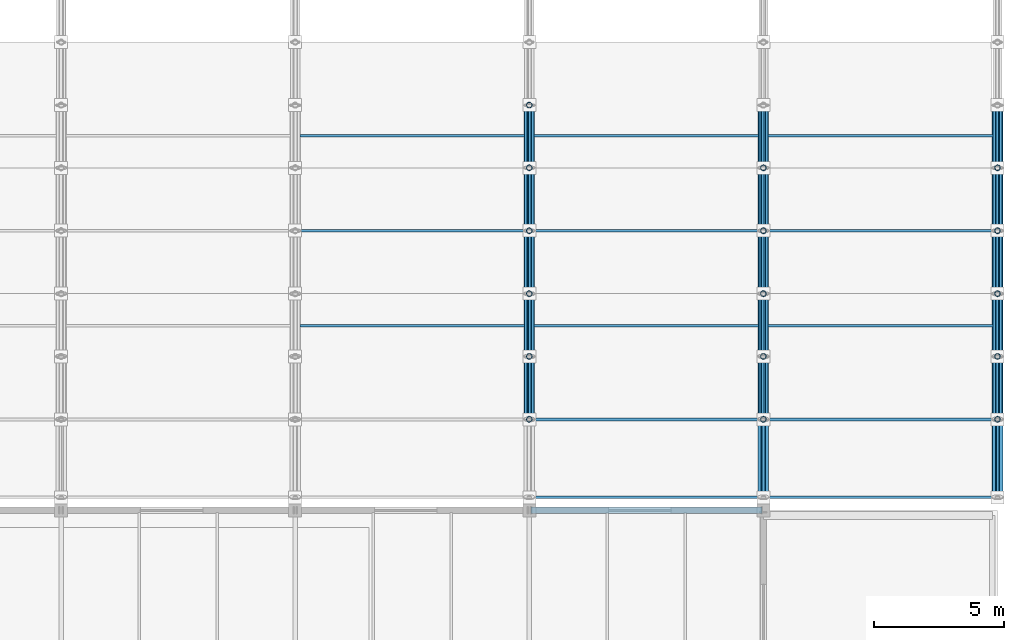
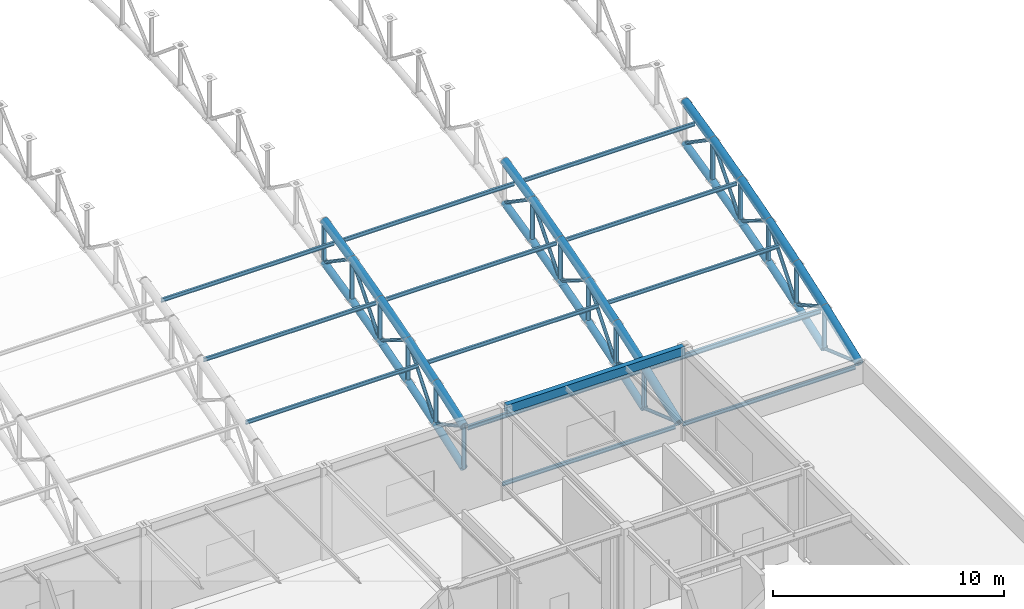
# One storey, part 75 of 195: 78 members, 1 beam.
"""IFC4 building model written with IfcOpenShell, lengths in metres."""

import ifcopenshell
import ifcopenshell.guid

model = None  # the IFC model being written
_history = None  # IfcOwnerHistory: only IFC2X3 demands one
_inside = {}  # id of a spatial element -> (the spatial element, [elements in it])
_under = {}  # id of a project, library or spatial element -> (it, [spatial elements below it])
_declared = {}  # id of a project -> (the project, [libraries it declares])
_typed = {}  # id of a type object -> (the type object, [elements of that type])
_made_of = {}  # id of a material, layer set ... -> (it, [elements and type objects made of it])


def new_model(schema):
    """Start an empty IFC model of exactly this schema.

    Asked for "IFC4X3", IfcOpenShell would pick the latest addendum, in which some entities
    have other attributes; the version numbers below select the first issue.
    IFC2X3 requires an IfcOwnerHistory on every rooted entity: one is made here for all.
    """
    global model, _history
    if schema == "IFC4X3":
        model = ifcopenshell.file(schema_version=(4, 3, 0, 0))
    else:
        model = ifcopenshell.file(schema=schema)
    _inside.clear()
    _under.clear()
    _declared.clear()
    _typed.clear()
    _made_of.clear()
    _history = None
    if model.schema == "IFC2X3":
        org = make("IfcOrganization", Name="unknown")
        user = make(
            "IfcPersonAndOrganization",
            ThePerson=make("IfcPerson", FamilyName="unknown"),
            TheOrganization=org,
        )
        app = make(
            "IfcApplication",
            ApplicationDeveloper=org,
            Version="unknown",
            ApplicationFullName="unknown",
            ApplicationIdentifier="unknown",
        )
        _history = make(
            "IfcOwnerHistory",
            OwningUser=user,
            OwningApplication=app,
            ChangeAction="ADDED",
            CreationDate=0,
        )
    return model


def make(cls, **values):
    """One entity of the class cls with the attributes given. An attribute that is None is left unset."""
    return model.create_entity(
        cls, **{name: value for name, value in values.items() if value is not None}
    )


def rooted(cls, **values):
    """An entity with a GlobalId (a new one), such as an element, a storey or a relation."""
    return make(cls, GlobalId=ifcopenshell.guid.new(), OwnerHistory=_history, **values)


def si_unit(unit_type, name, prefix=None):
    """IfcSIUnit, for example si_unit("LENGTHUNIT", "METRE", prefix="MILLI")."""
    return make("IfcSIUnit", UnitType=unit_type, Prefix=prefix, Name=name)


def assignment(units):
    """IfcUnitAssignment: the units of a project."""
    return None if units is None else make("IfcUnitAssignment", Units=units)


def point(xyz):
    """IfcCartesianPoint."""
    return None if xyz is None else make("IfcCartesianPoint", Coordinates=xyz)


def direction(xyz):
    """IfcDirection."""
    return None if xyz is None else make("IfcDirection", DirectionRatios=xyz)


def frame(location, z_axis=None, x_axis=None):
    """IfcAxis2Placement3D, a coordinate frame: its origin and axes. An axis left out is left unset."""
    return make(
        "IfcAxis2Placement3D",
        Location=point(location),
        Axis=direction(z_axis),
        RefDirection=direction(x_axis),
    )


def frame_2d(location, x_axis=None):
    """IfcAxis2Placement2D, a coordinate frame in the plane: its origin and x axis."""
    return make(
        "IfcAxis2Placement2D", Location=point(location), RefDirection=direction(x_axis)
    )


def origin():
    """The frame at (0, 0, 0) with its axes left unset."""
    return frame((0.0, 0.0, 0.0))


def origin_2d():
    """The frame at (0, 0) in the plane with its x axis left unset."""
    return frame_2d((0.0, 0.0))


def place(relative_to, where):
    """IfcLocalPlacement: puts the frame where relative to a parent placement (None: the world)."""
    return make(
        "IfcLocalPlacement", PlacementRelTo=relative_to, RelativePlacement=where
    )


def context(
    kind, dimensions, precision=None, world=None, true_north=None, identifier=None
):
    """IfcGeometricRepresentationContext, for example the 3D "Model" context."""
    return make(
        "IfcGeometricRepresentationContext",
        ContextIdentifier=identifier,
        ContextType=kind,
        CoordinateSpaceDimension=dimensions,
        Precision=precision,
        WorldCoordinateSystem=world,
        TrueNorth=true_north,
    )


def subcontext(parent, identifier, kind, view, scale=None):
    """IfcGeometricRepresentationSubContext, for example "Body" below "Model"."""
    return make(
        "IfcGeometricRepresentationSubContext",
        ContextIdentifier=identifier,
        ContextType=kind,
        ParentContext=parent,
        TargetScale=scale,
        TargetView=view,
    )


def project(units=None, contexts=None):
    """IfcProject with its units and contexts."""
    return rooted(
        "IfcProject",
        Name="project",
        RepresentationContexts=contexts,
        UnitsInContext=assignment(units),
    )


def spatial(cls, under=None, at=None, **own):
    """A site, building, storey or space (cls), placed at a placement, below another one or the project."""
    s = rooted(cls, ObjectPlacement=at, **own)
    if under is not None:
        _under.setdefault(under.id(), (under, []))[1].append(s)
    return s


def profile(cls, at=None, kind="AREA", **sizes):
    """A parametric profile (cls). Its sizes go by their IFC names, for example OverallWidth=200.0."""
    return make(cls, ProfileType=kind, Position=at, **sizes)


def hollow_rectangle(**sizes):
    """IfcRectangleHollowProfileDef."""
    return profile("IfcRectangleHollowProfileDef", **sizes)


def hollow_circle(**sizes):
    """IfcCircleHollowProfileDef."""
    return profile("IfcCircleHollowProfileDef", **sizes)


def i_section(**sizes):
    """IfcIShapeProfileDef."""
    return profile("IfcIShapeProfileDef", **sizes)


def extrude(swept, where, along, depth):
    """IfcExtrudedAreaSolid: the profile swept, set in the frame where, extruded along a direction by depth."""
    return make(
        "IfcExtrudedAreaSolid",
        SweptArea=swept,
        Position=where,
        ExtrudedDirection=direction(along),
        Depth=depth,
    )


def shape(context_of_items, identifier, shape_type, items):
    """IfcShapeRepresentation: the items that make up one representation, for example the "Body"."""
    return make(
        "IfcShapeRepresentation",
        ContextOfItems=context_of_items,
        RepresentationIdentifier=identifier,
        RepresentationType=shape_type,
        Items=items,
    )


def material(Name=None, Category=None):
    """IfcMaterial."""
    return make("IfcMaterial", Name=Name, Category=Category)


def material_profile(
    of_material, cross_section, Name=None, Category=None, Priority=None
):
    """IfcMaterialProfile: a cross section and its material."""
    return make(
        "IfcMaterialProfile",
        Name=Name,
        Material=of_material,
        Profile=cross_section,
        Priority=Priority,
        Category=Category,
    )


def profile_set(profiles, Name=None, composite=None):
    """IfcMaterialProfileSet."""
    return make(
        "IfcMaterialProfileSet",
        Name=Name,
        MaterialProfiles=profiles,
        CompositeProfile=composite,
    )


def made_of(thing, what):
    """Note that an element or type object is made of a material, layer set ...; save() writes the relation."""
    if what is not None:
        _made_of.setdefault(what.id(), (what, []))[1].append(thing)
    return thing


def type_object(cls, material=None, **own):
    """A type object (cls), such as IfcWallType, which elements share."""
    return made_of(rooted(cls, **own), material)


def element(
    cls,
    number,
    at=None,
    inside=None,
    cuts=None,
    type_object=None,
    material=None,
    context=None,
    identifier="Body",
    shape_type=None,
    held_by="IfcProductDefinitionShape",
    body=None,
    shapes=None,
    **own,
):
    """One element of the class cls, such as IfcWall. Its Tag is "e" and its number.

    at: its placement. inside: the storey or other place that contains it. cuts: it is an
    opening in that element (IfcRelVoidsElement). A single representation is given by context,
    identifier, shape_type and body (its items); several are given by shapes. held_by: the class
    of the entity that holds the representations. save() writes the other relations.
    """
    e = rooted(cls, Tag="e%d" % number, ObjectPlacement=at, **own)
    if body is not None:
        shapes = [shape(context, identifier, shape_type, body)]
    if shapes is not None:
        e.Representation = make(held_by, Representations=shapes)
    if inside is not None:
        _inside.setdefault(inside.id(), (inside, []))[1].append(e)
    if cuts is not None:
        rooted(
            "IfcRelVoidsElement", RelatingBuildingElement=cuts, RelatedOpeningElement=e
        )
    if type_object is not None:
        _typed.setdefault(type_object.id(), (type_object, []))[1].append(e)
    return made_of(e, material)


def aggregate(whole, parts):
    """IfcRelAggregates: a whole, such as a stair, and the parts it consists of."""
    return rooted("IfcRelAggregates", RelatingObject=whole, RelatedObjects=parts)


def save(model, path):
    """Write the relations noted so far, then the file.

    IfcRelAggregates (storeys below a building ...), IfcRelContainedInSpatialStructure (elements
    in a storey), IfcRelDefinesByType, IfcRelAssociatesMaterial and IfcRelDeclares: one each for
    every whole, place, type object, material and project.
    """
    for whole, parts in _under.values():
        aggregate(whole, parts)
    for where, things in _inside.values():
        rooted(
            "IfcRelContainedInSpatialStructure",
            RelatedElements=things,
            RelatingStructure=where,
        )
    for kind, things in _typed.values():
        rooted("IfcRelDefinesByType", RelatedObjects=things, RelatingType=kind)
    for what, things in _made_of.values():
        rooted("IfcRelAssociatesMaterial", RelatedObjects=things, RelatingMaterial=what)
    for by, libraries in _declared.values():
        rooted("IfcRelDeclares", RelatingContext=by, RelatedDefinitions=libraries)
    model.write(path)


model = new_model("IFC4")

# Units and contexts
model_context = context("Model", 3, precision=1e-05, world=origin(), true_north=direction((0.0, 1.0)))
body_context = subcontext(model_context, "Body", "Model", "MODEL_VIEW")
ifc_project = project(units=[si_unit("LENGTHUNIT", "METRE"), si_unit("AREAUNIT", "SQUARE_METRE"), si_unit("VOLUMEUNIT", "CUBIC_METRE"), si_unit("PLANEANGLEUNIT", "RADIAN"), si_unit("MASSUNIT", "GRAM", prefix="KILO")], contexts=[model_context])

# Site, building, storey
site_placement = place(None, origin())
site = spatial("IfcSite", under=ifc_project, at=site_placement, CompositionType="ELEMENT")
building_placement = place(site_placement, origin())
building = spatial("IfcBuilding", under=site, at=building_placement, Name="Marlcrest Central Station", CompositionType="ELEMENT")
storey_placement = place(building_placement, frame((0.0, 0.0, 9.800048828125)))
storey = spatial("IfcBuildingStorey", under=building, at=storey_placement, Name="L02", CompositionType="ELEMENT", Elevation=9.800048828125)

# Members
ifc_material = material(Name="Steel S355", Category="steel")
ifc_material_profile_1 = material_profile(ifc_material, hollow_circle(Radius=0.203125, WallThickness=0.02001953125, at=origin_2d()), Name="CHS 406.4x20")
ifc_profile_set_1 = profile_set([ifc_material_profile_1], Name="Steel S355")
member_type_1 = type_object("IfcMemberType", Name="AC-01", PredefinedType="CHORD", material=ifc_profile_set_1)
member_1_placement = place(storey_placement, frame((198.0, 36.5, 1.599853515625), z_axis=(0.0, 0.94353735649, 0.331266142109), x_axis=(-1.0, 0.0, 0.0)))
element("IfcMember", 1, at=member_1_placement, inside=storey, type_object=member_type_1, Name="mem-AC-01-L02-01788", PredefinedType="CHORD", context=body_context, shape_type="SweptSolid", body=[
    extrude(hollow_circle(Radius=0.203125, WallThickness=0.02001953125, at=origin_2d()), origin(), (0.0, 0.0, 1.0), 2.564697265625),
])
member_2_placement = place(storey_placement, frame((198.0, 38.919921875, 2.449462890625), z_axis=(0.0, 0.952116828449, 0.305734435391), x_axis=(-1.0, 0.0, 0.0)))
element("IfcMember", 2, at=member_2_placement, inside=storey, type_object=member_type_1, Name="mem-AC-01-L02-01792", PredefinedType="CHORD", context=body_context, shape_type="SweptSolid", body=[
    extrude(hollow_circle(Radius=0.203125, WallThickness=0.02001953125, at=origin_2d()), origin(), (0.0, 0.0, 1.0), 2.53125),
])
member_3_placement = place(storey_placement, frame((198.0, 41.330078125, 3.223388671875), z_axis=(0.0, 0.960130083362, 0.27955361386), x_axis=(-1.0, 0.0, 0.0)))
element("IfcMember", 3, at=member_3_placement, inside=storey, type_object=member_type_1, Name="mem-AC-01-L02-01796", PredefinedType="CHORD", context=body_context, shape_type="SweptSolid", body=[
    extrude(hollow_circle(Radius=0.203125, WallThickness=0.02001953125, at=origin_2d()), origin(), (0.0, 0.0, 1.0), 2.5205078125),
])
member_4_placement = place(storey_placement, frame((198.0, 43.75, 3.927978515625), z_axis=(0.0, 0.967539481681, 0.252719906989), x_axis=(-1.0, 0.0, 0.0)))
element("IfcMember", 4, at=member_4_placement, inside=storey, type_object=member_type_1, Name="mem-AC-01-L02-01800", PredefinedType="CHORD", context=body_context, shape_type="SweptSolid", body=[
    extrude(hollow_circle(Radius=0.203125, WallThickness=0.02001953125, at=origin_2d()), origin(), (0.0, 0.0, 1.0), 2.501220703125),
])
member_5_placement = place(storey_placement, frame((198.0, 46.169921875, 4.56005859375), z_axis=(0.0, 0.974329612642, 0.225126200004), x_axis=(-1.0, 0.0, 0.0)))
element("IfcMember", 5, at=member_5_placement, inside=storey, type_object=member_type_1, Name="mem-AC-01-L02-01804", PredefinedType="CHORD", context=body_context, shape_type="SweptSolid", body=[
    extrude(hollow_circle(Radius=0.203125, WallThickness=0.02001953125, at=origin_2d()), origin(), (0.0, 0.0, 1.0), 2.4736328125),
])
member_6_placement = place(storey_placement, frame((207.0, 33.5, 0.44580078125), z_axis=(0.0, 0.933324071143, 0.359035065453), x_axis=(-1.0, 0.0, 0.0)))
element("IfcMember", 6, at=member_6_placement, inside=storey, type_object=member_type_1, Name="mem-AC-01-L02-01902", PredefinedType="CHORD", context=body_context, shape_type="SweptSolid", body=[
    extrude(hollow_circle(Radius=0.203125, WallThickness=0.02001953125, at=origin_2d()), origin(), (0.0, 0.0, 1.0), 3.21435546875),
])
member_7_placement = place(storey_placement, frame((207.0, 36.5, 1.599853515625), z_axis=(0.0, 0.94353735649, 0.331266142109), x_axis=(-1.0, 0.0, 0.0)))
element("IfcMember", 7, at=member_7_placement, inside=storey, type_object=member_type_1, Name="mem-AC-01-L02-01904", PredefinedType="CHORD", context=body_context, shape_type="SweptSolid", body=[
    extrude(hollow_circle(Radius=0.203125, WallThickness=0.02001953125, at=origin_2d()), origin(), (0.0, 0.0, 1.0), 2.564697265625),
])
member_8_placement = place(storey_placement, frame((207.0, 38.919921875, 2.449462890625), z_axis=(0.0, 0.952116828449, 0.305734435391), x_axis=(-1.0, 0.0, 0.0)))
element("IfcMember", 8, at=member_8_placement, inside=storey, type_object=member_type_1, Name="mem-AC-01-L02-01908", PredefinedType="CHORD", context=body_context, shape_type="SweptSolid", body=[
    extrude(hollow_circle(Radius=0.203125, WallThickness=0.02001953125, at=origin_2d()), origin(), (0.0, 0.0, 1.0), 2.53125),
])
member_9_placement = place(storey_placement, frame((207.0, 41.330078125, 3.223388671875), z_axis=(0.0, 0.960130083362, 0.27955361386), x_axis=(-1.0, 0.0, 0.0)))
element("IfcMember", 9, at=member_9_placement, inside=storey, type_object=member_type_1, Name="mem-AC-01-L02-01912", PredefinedType="CHORD", context=body_context, shape_type="SweptSolid", body=[
    extrude(hollow_circle(Radius=0.203125, WallThickness=0.02001953125, at=origin_2d()), origin(), (0.0, 0.0, 1.0), 2.5205078125),
])
member_10_placement = place(storey_placement, frame((207.0, 43.75, 3.927978515625), z_axis=(0.0, 0.967539481681, 0.252719906989), x_axis=(-1.0, 0.0, 0.0)))
element("IfcMember", 10, at=member_10_placement, inside=storey, type_object=member_type_1, Name="mem-AC-01-L02-01916", PredefinedType="CHORD", context=body_context, shape_type="SweptSolid", body=[
    extrude(hollow_circle(Radius=0.203125, WallThickness=0.02001953125, at=origin_2d()), origin(), (0.0, 0.0, 1.0), 2.501220703125),
])
member_11_placement = place(storey_placement, frame((207.0, 46.169921875, 4.56005859375), z_axis=(0.0, 0.974329612642, 0.225126200004), x_axis=(-1.0, 0.0, 0.0)))
element("IfcMember", 11, at=member_11_placement, inside=storey, type_object=member_type_1, Name="mem-AC-01-L02-01920", PredefinedType="CHORD", context=body_context, shape_type="SweptSolid", body=[
    extrude(hollow_circle(Radius=0.203125, WallThickness=0.02001953125, at=origin_2d()), origin(), (0.0, 0.0, 1.0), 2.4736328125),
])
member_12_placement = place(storey_placement, frame((216.0, 33.5, 0.44580078125), z_axis=(0.0, 0.933324071143, 0.359035065453), x_axis=(-1.0, 0.0, 0.0)))
element("IfcMember", 12, at=member_12_placement, inside=storey, type_object=member_type_1, Name="mem-AC-01-L02-02018", PredefinedType="CHORD", context=body_context, shape_type="SweptSolid", body=[
    extrude(hollow_circle(Radius=0.203125, WallThickness=0.02001953125, at=origin_2d()), origin(), (0.0, 0.0, 1.0), 3.21435546875),
])
member_13_placement = place(storey_placement, frame((216.0, 36.5, 1.599853515625), z_axis=(0.0, 0.94353735649, 0.331266142109), x_axis=(-1.0, 0.0, 0.0)))
element("IfcMember", 13, at=member_13_placement, inside=storey, type_object=member_type_1, Name="mem-AC-01-L02-02020", PredefinedType="CHORD", context=body_context, shape_type="SweptSolid", body=[
    extrude(hollow_circle(Radius=0.203125, WallThickness=0.02001953125, at=origin_2d()), origin(), (0.0, 0.0, 1.0), 2.564697265625),
])
member_14_placement = place(storey_placement, frame((216.0, 38.919921875, 2.449462890625), z_axis=(0.0, 0.952116828449, 0.305734435391), x_axis=(-1.0, 0.0, 0.0)))
element("IfcMember", 14, at=member_14_placement, inside=storey, type_object=member_type_1, Name="mem-AC-01-L02-02024", PredefinedType="CHORD", context=body_context, shape_type="SweptSolid", body=[
    extrude(hollow_circle(Radius=0.203125, WallThickness=0.02001953125, at=origin_2d()), origin(), (0.0, 0.0, 1.0), 2.53125),
])
member_15_placement = place(storey_placement, frame((216.0, 41.330078125, 3.223388671875), z_axis=(0.0, 0.960130083362, 0.27955361386), x_axis=(-1.0, 0.0, 0.0)))
element("IfcMember", 15, at=member_15_placement, inside=storey, type_object=member_type_1, Name="mem-AC-01-L02-02028", PredefinedType="CHORD", context=body_context, shape_type="SweptSolid", body=[
    extrude(hollow_circle(Radius=0.203125, WallThickness=0.02001953125, at=origin_2d()), origin(), (0.0, 0.0, 1.0), 2.5205078125),
])
member_16_placement = place(storey_placement, frame((216.0, 43.75, 3.927978515625), z_axis=(0.0, 0.967539481681, 0.252719906989), x_axis=(-1.0, 0.0, 0.0)))
element("IfcMember", 16, at=member_16_placement, inside=storey, type_object=member_type_1, Name="mem-AC-01-L02-02032", PredefinedType="CHORD", context=body_context, shape_type="SweptSolid", body=[
    extrude(hollow_circle(Radius=0.203125, WallThickness=0.02001953125, at=origin_2d()), origin(), (0.0, 0.0, 1.0), 2.501220703125),
])
member_17_placement = place(storey_placement, frame((216.0, 46.169921875, 4.56005859375), z_axis=(0.0, 0.974329612642, 0.225126200004), x_axis=(-1.0, 0.0, 0.0)))
element("IfcMember", 17, at=member_17_placement, inside=storey, type_object=member_type_1, Name="mem-AC-01-L02-02036", PredefinedType="CHORD", context=body_context, shape_type="SweptSolid", body=[
    extrude(hollow_circle(Radius=0.203125, WallThickness=0.02001953125, at=origin_2d()), origin(), (0.0, 0.0, 1.0), 2.4736328125),
])
ifc_material_profile_2 = material_profile(ifc_material, hollow_circle(Radius=0.177734375, WallThickness=0.01611328125, at=origin_2d()), Name="CHS 355.6x16")
ifc_profile_set_2 = profile_set([ifc_material_profile_2], Name="Steel S355")
member_type_2 = type_object("IfcMemberType", Name="AC-02", PredefinedType="CHORD", material=ifc_profile_set_2)
member_18_placement = place(storey_placement, frame((198.0, 36.5, -0.60009765625), z_axis=(0.0, 0.94353735649, 0.331266142109), x_axis=(-1.0, 0.0, 0.0)))
element("IfcMember", 18, at=member_18_placement, inside=storey, type_object=member_type_2, Name="mem-AC-02-L02-01789", PredefinedType="CHORD", context=body_context, shape_type="SweptSolid", body=[
    extrude(hollow_circle(Radius=0.177734375, WallThickness=0.01611328125, at=origin_2d()), origin(), (0.0, 0.0, 1.0), 2.564697265625),
])
member_19_placement = place(storey_placement, frame((198.0, 38.919921875, 0.24951171875), z_axis=(0.0, 0.952116828449, 0.305734435391), x_axis=(-1.0, 0.0, 0.0)))
element("IfcMember", 19, at=member_19_placement, inside=storey, type_object=member_type_2, Name="mem-AC-02-L02-01793", PredefinedType="CHORD", context=body_context, shape_type="SweptSolid", body=[
    extrude(hollow_circle(Radius=0.177734375, WallThickness=0.01611328125, at=origin_2d()), origin(), (0.0, 0.0, 1.0), 2.53125),
])
member_20_placement = place(storey_placement, frame((198.0, 41.330078125, 1.0234375), z_axis=(0.0, 0.960130083362, 0.27955361386), x_axis=(-1.0, 0.0, 0.0)))
element("IfcMember", 20, at=member_20_placement, inside=storey, type_object=member_type_2, Name="mem-AC-02-L02-01797", PredefinedType="CHORD", context=body_context, shape_type="SweptSolid", body=[
    extrude(hollow_circle(Radius=0.177734375, WallThickness=0.01611328125, at=origin_2d()), origin(), (0.0, 0.0, 1.0), 2.5205078125),
])
member_21_placement = place(storey_placement, frame((198.0, 43.75, 1.72802734375), z_axis=(0.0, 0.967563345928, 0.252628524946), x_axis=(-1.0, 0.0, 0.0)))
element("IfcMember", 21, at=member_21_placement, inside=storey, type_object=member_type_2, Name="mem-AC-02-L02-01801", PredefinedType="CHORD", context=body_context, shape_type="SweptSolid", body=[
    extrude(hollow_circle(Radius=0.177734375, WallThickness=0.01611328125, at=origin_2d()), origin(), (0.0, 0.0, 1.0), 2.5009765625),
])
member_22_placement = place(storey_placement, frame((198.0, 46.169921875, 2.35986328125), z_axis=(0.0, 0.974307959875, 0.225219891049), x_axis=(-1.0, 0.0, 0.0)))
element("IfcMember", 22, at=member_22_placement, inside=storey, type_object=member_type_2, Name="mem-AC-02-L02-01805", PredefinedType="CHORD", context=body_context, shape_type="SweptSolid", body=[
    extrude(hollow_circle(Radius=0.177734375, WallThickness=0.01611328125, at=origin_2d()), origin(), (0.0, 0.0, 1.0), 2.4736328125),
])
member_23_placement = place(storey_placement, frame((207.0, 36.5, -0.60009765625), z_axis=(0.0, 0.94353735649, 0.331266142109), x_axis=(-1.0, 0.0, 0.0)))
element("IfcMember", 23, at=member_23_placement, inside=storey, type_object=member_type_2, Name="mem-AC-02-L02-01905", PredefinedType="CHORD", context=body_context, shape_type="SweptSolid", body=[
    extrude(hollow_circle(Radius=0.177734375, WallThickness=0.01611328125, at=origin_2d()), origin(), (0.0, 0.0, 1.0), 2.564697265625),
])
member_24_placement = place(storey_placement, frame((207.0, 38.919921875, 0.24951171875), z_axis=(0.0, 0.952116828449, 0.305734435391), x_axis=(-1.0, 0.0, 0.0)))
element("IfcMember", 24, at=member_24_placement, inside=storey, type_object=member_type_2, Name="mem-AC-02-L02-01909", PredefinedType="CHORD", context=body_context, shape_type="SweptSolid", body=[
    extrude(hollow_circle(Radius=0.177734375, WallThickness=0.01611328125, at=origin_2d()), origin(), (0.0, 0.0, 1.0), 2.53125),
])
member_25_placement = place(storey_placement, frame((207.0, 41.330078125, 1.0234375), z_axis=(0.0, 0.960130083362, 0.27955361386), x_axis=(-1.0, 0.0, 0.0)))
element("IfcMember", 25, at=member_25_placement, inside=storey, type_object=member_type_2, Name="mem-AC-02-L02-01913", PredefinedType="CHORD", context=body_context, shape_type="SweptSolid", body=[
    extrude(hollow_circle(Radius=0.177734375, WallThickness=0.01611328125, at=origin_2d()), origin(), (0.0, 0.0, 1.0), 2.5205078125),
])
member_26_placement = place(storey_placement, frame((207.0, 43.75, 1.72802734375), z_axis=(0.0, 0.967563345928, 0.252628524946), x_axis=(-1.0, 0.0, 0.0)))
element("IfcMember", 26, at=member_26_placement, inside=storey, type_object=member_type_2, Name="mem-AC-02-L02-01917", PredefinedType="CHORD", context=body_context, shape_type="SweptSolid", body=[
    extrude(hollow_circle(Radius=0.177734375, WallThickness=0.01611328125, at=origin_2d()), origin(), (0.0, 0.0, 1.0), 2.5009765625),
])
member_27_placement = place(storey_placement, frame((207.0, 46.169921875, 2.35986328125), z_axis=(0.0, 0.974307959875, 0.225219891049), x_axis=(-1.0, 0.0, 0.0)))
element("IfcMember", 27, at=member_27_placement, inside=storey, type_object=member_type_2, Name="mem-AC-02-L02-01921", PredefinedType="CHORD", context=body_context, shape_type="SweptSolid", body=[
    extrude(hollow_circle(Radius=0.177734375, WallThickness=0.01611328125, at=origin_2d()), origin(), (0.0, 0.0, 1.0), 2.4736328125),
])
member_28_placement = place(storey_placement, frame((216.0, 36.5, -0.60009765625), z_axis=(0.0, 0.94353735649, 0.331266142109), x_axis=(-1.0, 0.0, 0.0)))
element("IfcMember", 28, at=member_28_placement, inside=storey, type_object=member_type_2, Name="mem-AC-02-L02-02021", PredefinedType="CHORD", context=body_context, shape_type="SweptSolid", body=[
    extrude(hollow_circle(Radius=0.177734375, WallThickness=0.01611328125, at=origin_2d()), origin(), (0.0, 0.0, 1.0), 2.564697265625),
])
member_29_placement = place(storey_placement, frame((216.0, 38.919921875, 0.24951171875), z_axis=(0.0, 0.952116828449, 0.305734435391), x_axis=(-1.0, 0.0, 0.0)))
element("IfcMember", 29, at=member_29_placement, inside=storey, type_object=member_type_2, Name="mem-AC-02-L02-02025", PredefinedType="CHORD", context=body_context, shape_type="SweptSolid", body=[
    extrude(hollow_circle(Radius=0.177734375, WallThickness=0.01611328125, at=origin_2d()), origin(), (0.0, 0.0, 1.0), 2.53125),
])
member_30_placement = place(storey_placement, frame((216.0, 41.330078125, 1.0234375), z_axis=(0.0, 0.960130083362, 0.27955361386), x_axis=(-1.0, 0.0, 0.0)))
element("IfcMember", 30, at=member_30_placement, inside=storey, type_object=member_type_2, Name="mem-AC-02-L02-02029", PredefinedType="CHORD", context=body_context, shape_type="SweptSolid", body=[
    extrude(hollow_circle(Radius=0.177734375, WallThickness=0.01611328125, at=origin_2d()), origin(), (0.0, 0.0, 1.0), 2.5205078125),
])
member_31_placement = place(storey_placement, frame((216.0, 43.75, 1.72802734375), z_axis=(0.0, 0.967563345928, 0.252628524946), x_axis=(-1.0, 0.0, 0.0)))
element("IfcMember", 31, at=member_31_placement, inside=storey, type_object=member_type_2, Name="mem-AC-02-L02-02033", PredefinedType="CHORD", context=body_context, shape_type="SweptSolid", body=[
    extrude(hollow_circle(Radius=0.177734375, WallThickness=0.01611328125, at=origin_2d()), origin(), (0.0, 0.0, 1.0), 2.5009765625),
])
member_32_placement = place(storey_placement, frame((216.0, 46.169921875, 2.35986328125), z_axis=(0.0, 0.974307959875, 0.225219891049), x_axis=(-1.0, 0.0, 0.0)))
element("IfcMember", 32, at=member_32_placement, inside=storey, type_object=member_type_2, Name="mem-AC-02-L02-02037", PredefinedType="CHORD", context=body_context, shape_type="SweptSolid", body=[
    extrude(hollow_circle(Radius=0.177734375, WallThickness=0.01611328125, at=origin_2d()), origin(), (0.0, 0.0, 1.0), 2.4736328125),
])
ifc_material_profile_3 = material_profile(ifc_material, hollow_circle(Radius=0.084228515625, WallThickness=0.010009765625, at=origin_2d()), Name="CHS 168.3x10")
ifc_profile_set_3 = profile_set([ifc_material_profile_3], Name="Steel S355")
member_type_3 = type_object("IfcMemberType", Name="AD-01", PredefinedType="BRACE", material=ifc_profile_set_3)
member_33_placement = place(storey_placement, frame((198.0, 36.5, 1.599853515625), z_axis=(0.0, 0.873245653167, -0.487280236851), x_axis=(-1.0, 0.0, 0.0)))
element("IfcMember", 33, at=member_33_placement, inside=storey, type_object=member_type_3, Name="mem-AD-01-L02-01791", PredefinedType="BRACE", context=body_context, shape_type="SweptSolid", body=[
    extrude(hollow_circle(Radius=0.084228515625, WallThickness=0.010009765625, at=origin_2d()), origin(), (0.0, 0.0, 1.0), 2.771240234375),
])
member_34_placement = place(storey_placement, frame((198.0, 38.919921875, 0.24951171875), z_axis=(0.0, 0.62962929743, 0.776895712318), x_axis=(-1.0, 0.0, 0.0)))
element("IfcMember", 34, at=member_34_placement, inside=storey, type_object=member_type_3, Name="mem-AD-01-L02-01795", PredefinedType="BRACE", context=body_context, shape_type="SweptSolid", body=[
    extrude(hollow_circle(Radius=0.084228515625, WallThickness=0.010009765625, at=origin_2d()), origin(), (0.0, 0.0, 1.0), 3.827880859375),
])
member_35_placement = place(storey_placement, frame((198.0, 41.330078125, 3.223388671875), z_axis=(0.0, 0.850687380038, -0.525671933286), x_axis=(-1.0, 0.0, 0.0)))
element("IfcMember", 35, at=member_35_placement, inside=storey, type_object=member_type_3, Name="mem-AD-01-L02-01799", PredefinedType="BRACE", context=body_context, shape_type="SweptSolid", body=[
    extrude(hollow_circle(Radius=0.084228515625, WallThickness=0.010009765625, at=origin_2d()), origin(), (0.0, 0.0, 1.0), 2.8447265625),
])
member_36_placement = place(storey_placement, frame((198.0, 43.75, 1.72802734375), z_axis=(0.0, 0.649624779144, 0.760254987699), x_axis=(-1.0, 0.0, 0.0)))
element("IfcMember", 36, at=member_36_placement, inside=storey, type_object=member_type_3, Name="mem-AD-01-L02-01803", PredefinedType="BRACE", context=body_context, shape_type="SweptSolid", body=[
    extrude(hollow_circle(Radius=0.084228515625, WallThickness=0.010009765625, at=origin_2d()), origin(), (0.0, 0.0, 1.0), 3.72509765625),
])
member_37_placement = place(storey_placement, frame((198.0, 46.169921875, 4.56005859375), z_axis=(0.0, 0.82626275624, -0.563284881432), x_axis=(-1.0, 0.0, 0.0)))
element("IfcMember", 37, at=member_37_placement, inside=storey, type_object=member_type_3, Name="mem-AD-01-L02-01807", PredefinedType="BRACE", context=body_context, shape_type="SweptSolid", body=[
    extrude(hollow_circle(Radius=0.084228515625, WallThickness=0.010009765625, at=origin_2d()), origin(), (0.0, 0.0, 1.0), 2.9169921875),
])
member_38_placement = place(storey_placement, frame((207.0, 36.5, -0.60009765625), z_axis=(0.0, -0.944260188635, 0.329200085296), x_axis=(1.0, 0.0, 0.0)))
element("IfcMember", 38, at=member_38_placement, inside=storey, type_object=member_type_3, Name="mem-AD-01-L02-01903", PredefinedType="BRACE", context=body_context, shape_type="SweptSolid", body=[
    extrude(hollow_circle(Radius=0.084228515625, WallThickness=0.010009765625, at=origin_2d()), origin(), (0.0, 0.0, 1.0), 3.177001953125),
])
member_39_placement = place(storey_placement, frame((207.0, 36.5, 1.599853515625), z_axis=(0.0, 0.873245653167, -0.487280236851), x_axis=(-1.0, 0.0, 0.0)))
element("IfcMember", 39, at=member_39_placement, inside=storey, type_object=member_type_3, Name="mem-AD-01-L02-01907", PredefinedType="BRACE", context=body_context, shape_type="SweptSolid", body=[
    extrude(hollow_circle(Radius=0.084228515625, WallThickness=0.010009765625, at=origin_2d()), origin(), (0.0, 0.0, 1.0), 2.771240234375),
])
member_40_placement = place(storey_placement, frame((207.0, 38.919921875, 0.24951171875), z_axis=(0.0, 0.62962929743, 0.776895712318), x_axis=(-1.0, 0.0, 0.0)))
element("IfcMember", 40, at=member_40_placement, inside=storey, type_object=member_type_3, Name="mem-AD-01-L02-01911", PredefinedType="BRACE", context=body_context, shape_type="SweptSolid", body=[
    extrude(hollow_circle(Radius=0.084228515625, WallThickness=0.010009765625, at=origin_2d()), origin(), (0.0, 0.0, 1.0), 3.827880859375),
])
member_41_placement = place(storey_placement, frame((207.0, 41.330078125, 3.223388671875), z_axis=(0.0, 0.850687380038, -0.525671933286), x_axis=(-1.0, 0.0, 0.0)))
element("IfcMember", 41, at=member_41_placement, inside=storey, type_object=member_type_3, Name="mem-AD-01-L02-01915", PredefinedType="BRACE", context=body_context, shape_type="SweptSolid", body=[
    extrude(hollow_circle(Radius=0.084228515625, WallThickness=0.010009765625, at=origin_2d()), origin(), (0.0, 0.0, 1.0), 2.8447265625),
])
member_42_placement = place(storey_placement, frame((207.0, 43.75, 1.72802734375), z_axis=(0.0, 0.649624779144, 0.760254987699), x_axis=(-1.0, 0.0, 0.0)))
element("IfcMember", 42, at=member_42_placement, inside=storey, type_object=member_type_3, Name="mem-AD-01-L02-01919", PredefinedType="BRACE", context=body_context, shape_type="SweptSolid", body=[
    extrude(hollow_circle(Radius=0.084228515625, WallThickness=0.010009765625, at=origin_2d()), origin(), (0.0, 0.0, 1.0), 3.72509765625),
])
member_43_placement = place(storey_placement, frame((207.0, 46.169921875, 4.56005859375), z_axis=(0.0, 0.82626275624, -0.563284881432), x_axis=(-1.0, 0.0, 0.0)))
element("IfcMember", 43, at=member_43_placement, inside=storey, type_object=member_type_3, Name="mem-AD-01-L02-01923", PredefinedType="BRACE", context=body_context, shape_type="SweptSolid", body=[
    extrude(hollow_circle(Radius=0.084228515625, WallThickness=0.010009765625, at=origin_2d()), origin(), (0.0, 0.0, 1.0), 2.9169921875),
])
member_44_placement = place(storey_placement, frame((216.0, 36.5, -0.60009765625), z_axis=(0.0, -0.944260188635, 0.329200085296), x_axis=(1.0, 0.0, 0.0)))
element("IfcMember", 44, at=member_44_placement, inside=storey, type_object=member_type_3, Name="mem-AD-01-L02-02019", PredefinedType="BRACE", context=body_context, shape_type="SweptSolid", body=[
    extrude(hollow_circle(Radius=0.084228515625, WallThickness=0.010009765625, at=origin_2d()), origin(), (0.0, 0.0, 1.0), 3.177001953125),
])
member_45_placement = place(storey_placement, frame((216.0, 36.5, 1.599853515625), z_axis=(0.0, 0.873245653167, -0.487280236851), x_axis=(-1.0, 0.0, 0.0)))
element("IfcMember", 45, at=member_45_placement, inside=storey, type_object=member_type_3, Name="mem-AD-01-L02-02023", PredefinedType="BRACE", context=body_context, shape_type="SweptSolid", body=[
    extrude(hollow_circle(Radius=0.084228515625, WallThickness=0.010009765625, at=origin_2d()), origin(), (0.0, 0.0, 1.0), 2.771240234375),
])
member_46_placement = place(storey_placement, frame((216.0, 38.919921875, 0.24951171875), z_axis=(0.0, 0.62962929743, 0.776895712318), x_axis=(-1.0, 0.0, 0.0)))
element("IfcMember", 46, at=member_46_placement, inside=storey, type_object=member_type_3, Name="mem-AD-01-L02-02027", PredefinedType="BRACE", context=body_context, shape_type="SweptSolid", body=[
    extrude(hollow_circle(Radius=0.084228515625, WallThickness=0.010009765625, at=origin_2d()), origin(), (0.0, 0.0, 1.0), 3.827880859375),
])
member_47_placement = place(storey_placement, frame((216.0, 41.330078125, 3.223388671875), z_axis=(0.0, 0.850687380038, -0.525671933286), x_axis=(-1.0, 0.0, 0.0)))
element("IfcMember", 47, at=member_47_placement, inside=storey, type_object=member_type_3, Name="mem-AD-01-L02-02031", PredefinedType="BRACE", context=body_context, shape_type="SweptSolid", body=[
    extrude(hollow_circle(Radius=0.084228515625, WallThickness=0.010009765625, at=origin_2d()), origin(), (0.0, 0.0, 1.0), 2.8447265625),
])
member_48_placement = place(storey_placement, frame((216.0, 43.75, 1.72802734375), z_axis=(0.0, 0.649624779144, 0.760254987699), x_axis=(-1.0, 0.0, 0.0)))
element("IfcMember", 48, at=member_48_placement, inside=storey, type_object=member_type_3, Name="mem-AD-01-L02-02035", PredefinedType="BRACE", context=body_context, shape_type="SweptSolid", body=[
    extrude(hollow_circle(Radius=0.084228515625, WallThickness=0.010009765625, at=origin_2d()), origin(), (0.0, 0.0, 1.0), 3.72509765625),
])
member_49_placement = place(storey_placement, frame((216.0, 46.169921875, 4.56005859375), z_axis=(0.0, 0.82626275624, -0.563284881432), x_axis=(-1.0, 0.0, 0.0)))
element("IfcMember", 49, at=member_49_placement, inside=storey, type_object=member_type_3, Name="mem-AD-01-L02-02039", PredefinedType="BRACE", context=body_context, shape_type="SweptSolid", body=[
    extrude(hollow_circle(Radius=0.084228515625, WallThickness=0.010009765625, at=origin_2d()), origin(), (0.0, 0.0, 1.0), 2.9169921875),
])
ifc_material_profile_4 = material_profile(ifc_material, hollow_circle(Radius=0.109619140625, WallThickness=0.012451171875, at=origin_2d()), Name="CHS 219.1x12.5")
ifc_profile_set_4 = profile_set([ifc_material_profile_4], Name="Steel S355")
member_type_4 = type_object("IfcMemberType", Name="AP-01", PredefinedType="POST", material=ifc_profile_set_4)
for number, where, z_axis, x_axis, name in (
    (50, (198.0, 36.5, -0.60009765625), (0.0, 0.0, 1.0), (1.0, 0.0, 0.0), "mem-AP-01-L02-01790"),
    (51, (198.0, 38.919921875, 0.24951171875), (0.0, 0.0, 1.0), (1.0, 0.0, 0.0), "mem-AP-01-L02-01794"),
    (52, (198.0, 41.330078125, 1.0234375), (0.0, 0.0, 1.0), (1.0, 0.0, 0.0), "mem-AP-01-L02-01798"),
    (53, (198.0, 43.75, 1.72802734375), (0.0, 0.0, 1.0), (1.0, 0.0, 0.0), "mem-AP-01-L02-01802"),
):
    element("IfcMember", number, at=place(storey_placement, frame(where, z_axis=z_axis, x_axis=x_axis)), inside=storey, type_object=member_type_4, Name=name, PredefinedType="POST", context=body_context, shape_type="SweptSolid", body=[
        extrude(hollow_circle(Radius=0.109619140625, WallThickness=0.012451171875, at=origin_2d()), origin(), (0.0, 0.0, 1.0), 2.199951171875),
    ])
member_50_placement = place(storey_placement, frame((198.0, 46.169921875, 2.35986328125), z_axis=(0.0, 0.0, 1.0), x_axis=(1.0, 0.0, 0.0)))
element("IfcMember", 54, at=member_50_placement, inside=storey, type_object=member_type_4, Name="mem-AP-01-L02-01806", PredefinedType="POST", context=body_context, shape_type="SweptSolid", body=[
    extrude(hollow_circle(Radius=0.109619140625, WallThickness=0.012451171875, at=origin_2d()), origin(), (0.0, 0.0, 1.0), 2.2001953125),
])
for number, where, z_axis, x_axis, name in (
    (55, (198.0, 48.580078125, 2.9169921875), (0.0, 0.0, 1.0), (1.0, 0.0, 0.0), "mem-AP-01-L02-01810"),
    (56, (207.0, 36.5, -0.60009765625), (0.0, 0.0, 1.0), (1.0, 0.0, 0.0), "mem-AP-01-L02-01906"),
    (57, (207.0, 38.919921875, 0.24951171875), (0.0, 0.0, 1.0), (1.0, 0.0, 0.0), "mem-AP-01-L02-01910"),
    (58, (207.0, 41.330078125, 1.0234375), (0.0, 0.0, 1.0), (1.0, 0.0, 0.0), "mem-AP-01-L02-01914"),
    (59, (207.0, 43.75, 1.72802734375), (0.0, 0.0, 1.0), (1.0, 0.0, 0.0), "mem-AP-01-L02-01918"),
):
    element("IfcMember", number, at=place(storey_placement, frame(where, z_axis=z_axis, x_axis=x_axis)), inside=storey, type_object=member_type_4, Name=name, PredefinedType="POST", context=body_context, shape_type="SweptSolid", body=[
        extrude(hollow_circle(Radius=0.109619140625, WallThickness=0.012451171875, at=origin_2d()), origin(), (0.0, 0.0, 1.0), 2.199951171875),
    ])
member_51_placement = place(storey_placement, frame((207.0, 46.169921875, 2.35986328125), z_axis=(0.0, 0.0, 1.0), x_axis=(1.0, 0.0, 0.0)))
element("IfcMember", 60, at=member_51_placement, inside=storey, type_object=member_type_4, Name="mem-AP-01-L02-01922", PredefinedType="POST", context=body_context, shape_type="SweptSolid", body=[
    extrude(hollow_circle(Radius=0.109619140625, WallThickness=0.012451171875, at=origin_2d()), origin(), (0.0, 0.0, 1.0), 2.2001953125),
])
for number, where, z_axis, x_axis, name in (
    (61, (216.0, 36.5, -0.60009765625), (0.0, 0.0, 1.0), (1.0, 0.0, 0.0), "mem-AP-01-L02-02022"),
    (62, (216.0, 38.919921875, 0.24951171875), (0.0, 0.0, 1.0), (1.0, 0.0, 0.0), "mem-AP-01-L02-02026"),
    (63, (216.0, 41.330078125, 1.0234375), (0.0, 0.0, 1.0), (1.0, 0.0, 0.0), "mem-AP-01-L02-02030"),
    (64, (216.0, 43.75, 1.72802734375), (0.0, 0.0, 1.0), (1.0, 0.0, 0.0), "mem-AP-01-L02-02034"),
):
    element("IfcMember", number, at=place(storey_placement, frame(where, z_axis=z_axis, x_axis=x_axis)), inside=storey, type_object=member_type_4, Name=name, PredefinedType="POST", context=body_context, shape_type="SweptSolid", body=[
        extrude(hollow_circle(Radius=0.109619140625, WallThickness=0.012451171875, at=origin_2d()), origin(), (0.0, 0.0, 1.0), 2.199951171875),
    ])
member_52_placement = place(storey_placement, frame((216.0, 46.169921875, 2.35986328125), z_axis=(0.0, 0.0, 1.0), x_axis=(1.0, 0.0, 0.0)))
element("IfcMember", 65, at=member_52_placement, inside=storey, type_object=member_type_4, Name="mem-AP-01-L02-02038", PredefinedType="POST", context=body_context, shape_type="SweptSolid", body=[
    extrude(hollow_circle(Radius=0.109619140625, WallThickness=0.012451171875, at=origin_2d()), origin(), (0.0, 0.0, 1.0), 2.2001953125),
])
ifc_material_profile_5 = material_profile(ifc_material, i_section(OverallWidth=0.10009765625, OverallDepth=0.199951171875, WebThickness=0.005615234375, FlangeThickness=0.008544921875, FilletRadius=0.011962890625, at=origin_2d()), Name="IPE 200")
ifc_profile_set_5 = profile_set([ifc_material_profile_5], Name="Steel S355")
member_type_5 = type_object("IfcMemberType", Name="PR-01", PredefinedType="PURLIN", material=ifc_profile_set_5)
for number, where, z_axis, x_axis, name in (
    (66, (189.179931640625, 40.10009765625, 2.697509765625), (1.0, 0.0, 0.0), (0.0, 1.0, 0.0), "mem-PR-01-L02-01773"),
    (67, (189.179931640625, 43.75, 3.7880859375), (1.0, 0.0, 0.0), (0.0, 1.0, 0.0), "mem-PR-01-L02-01774"),
    (68, (189.179931640625, 47.39990234375, 4.713134765625), (1.0, 0.0, 0.0), (0.0, 1.0, 0.0), "mem-PR-01-L02-01775"),
    (69, (198.179931640625, 33.5, 0.3056640625), (1.0, 0.0, 0.0), (0.0, 1.0, 0.0), "mem-PR-01-L02-01887"),
    (70, (198.179931640625, 40.10009765625, 2.697509765625), (1.0, 0.0, 0.0), (0.0, 1.0, 0.0), "mem-PR-01-L02-01889"),
    (71, (198.179931640625, 43.75, 3.7880859375), (1.0, 0.0, 0.0), (0.0, 1.0, 0.0), "mem-PR-01-L02-01890"),
    (72, (198.179931640625, 47.39990234375, 4.713134765625), (1.0, 0.0, 0.0), (0.0, 1.0, 0.0), "mem-PR-01-L02-01891"),
    (73, (207.179931640625, 33.5, 0.3056640625), (1.0, 0.0, 0.0), (0.0, 1.0, 0.0), "mem-PR-01-L02-02003"),
    (74, (207.179931640625, 40.10009765625, 2.697509765625), (1.0, 0.0, 0.0), (0.0, 1.0, 0.0), "mem-PR-01-L02-02005"),
    (75, (207.179931640625, 43.75, 3.7880859375), (1.0, 0.0, 0.0), (0.0, 1.0, 0.0), "mem-PR-01-L02-02006"),
    (76, (207.179931640625, 47.39990234375, 4.713134765625), (1.0, 0.0, 0.0), (0.0, 1.0, 0.0), "mem-PR-01-L02-02007"),
):
    element("IfcMember", number, at=place(storey_placement, frame(where, z_axis=z_axis, x_axis=x_axis)), inside=storey, type_object=member_type_5, Name=name, PredefinedType="PURLIN", context=body_context, shape_type="SweptSolid", body=[
        extrude(i_section(OverallWidth=0.10009765625, OverallDepth=0.199951171875, WebThickness=0.005615234375, FlangeThickness=0.008544921875, FilletRadius=0.011962890625, at=origin_2d()), origin(), (0.0, 0.0, 1.0), 8.64013671875),
    ])
ifc_material_profile_6 = material_profile(ifc_material, i_section(OverallWidth=0.1201171875, OverallDepth=0.239990234375, WebThickness=0.006103515625, FlangeThickness=0.009765625, FilletRadius=0.014892578125, at=origin_2d()), Name="IPE 240")
ifc_profile_set_6 = profile_set([ifc_material_profile_6], Name="Steel S355")
member_type_6 = type_object("IfcMemberType", Name="PR-02", PredefinedType="PURLIN", material=ifc_profile_set_6)
for number, where, z_axis, x_axis, name in (
    (77, (198.179931640625, 36.5, 1.4599609375), (1.0, 0.0, 0.0), (0.0, 1.0, 0.0), "mem-PR-02-L02-01888"),
    (78, (207.179931640625, 36.5, 1.4599609375), (1.0, 0.0, 0.0), (0.0, 1.0, 0.0), "mem-PR-02-L02-02004"),
):
    element("IfcMember", number, at=place(storey_placement, frame(where, z_axis=z_axis, x_axis=x_axis)), inside=storey, type_object=member_type_6, Name=name, PredefinedType="PURLIN", context=body_context, shape_type="SweptSolid", body=[
        extrude(i_section(OverallWidth=0.1201171875, OverallDepth=0.239990234375, WebThickness=0.006103515625, FlangeThickness=0.009765625, FilletRadius=0.014892578125, at=origin_2d()), origin(), (0.0, 0.0, 1.0), 8.64013671875),
    ])

# Beam
ifc_material_profile_7 = material_profile(ifc_material, hollow_rectangle(XDim=0.25, YDim=0.449951171875, WallThickness=0.01611328125, at=origin_2d()), Name="RHS 450x250x16")
ifc_profile_set_7 = profile_set([ifc_material_profile_7], Name="Steel S355")
beam_type = type_object("IfcBeamType", Name="SP-02", PredefinedType="SPANDREL", material=ifc_profile_set_7)
beam_placement = place(storey_placement, frame((198.06005859375, 33.0, 4.64501953125), z_axis=(1.0, 0.0, 0.0), x_axis=(0.0, 1.0, 0.0)))
element("IfcBeam", 79, at=beam_placement, inside=storey, type_object=beam_type, Name="bm-SP-02-L02-00978", PredefinedType="SPANDREL", context=body_context, shape_type="SweptSolid", body=[
    extrude(hollow_rectangle(XDim=0.25, YDim=0.449951171875, WallThickness=0.01611328125, at=origin_2d()), origin(), (0.0, 0.0, 1.0), 8.8798828125),
])

save(model, "model.ifc")
